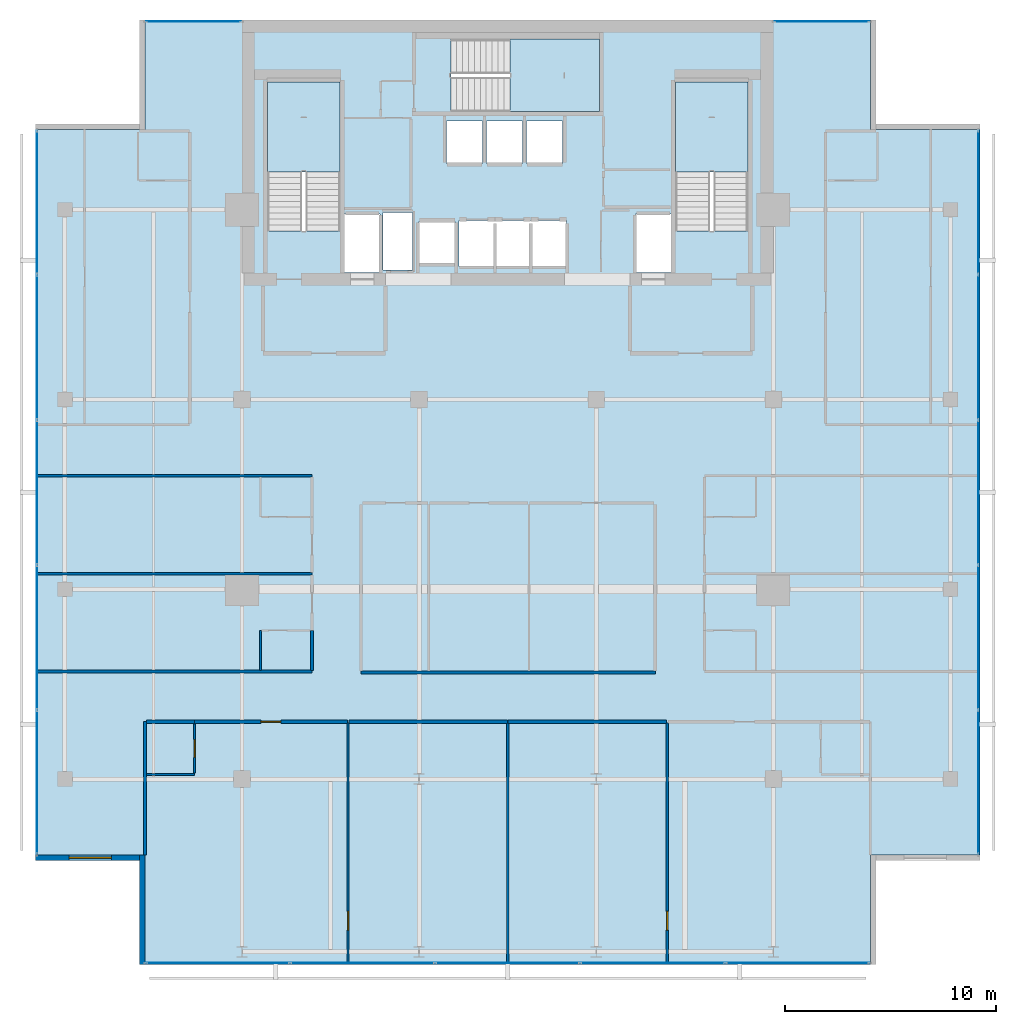
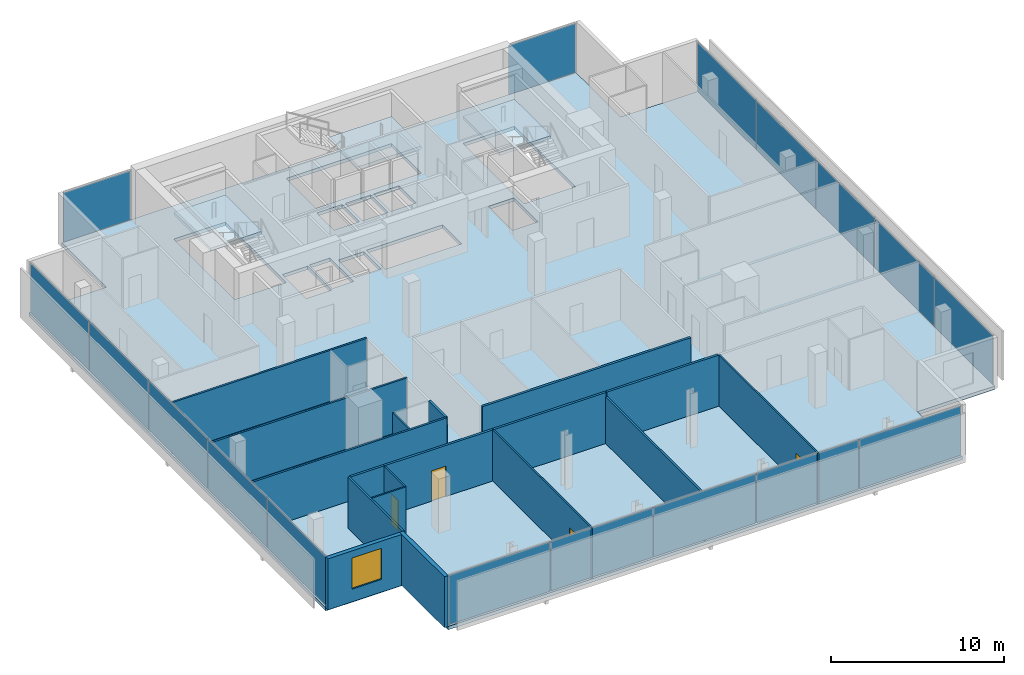
# One storey, part 19 of 25: 18 walls, 17 plates, 4 doors, 4 slabs, 1 window, 5 openings, 8 elements without a shape of their own.
"""IFC4 building model written with IfcOpenShell, lengths in metres."""

from ifc_helpers import new_model, si_unit, direction, frame, frame_2d, origin, origin_2d, place, context, subcontext, project, spatial, polyline, rectangle, outline, extrude, material, layer, layer_set, type_object, element, fill, aggregate, save


model = new_model("IFC4")

# Units and contexts
model_context = context("Model", 3, precision=1e-05, world=origin(), true_north=direction((0.0, 1.0)))
body_context = subcontext(model_context, "Body", "Model", "MODEL_VIEW")
ifc_project = project(units=[si_unit("LENGTHUNIT", "METRE"), si_unit("AREAUNIT", "SQUARE_METRE"), si_unit("VOLUMEUNIT", "CUBIC_METRE"), si_unit("PLANEANGLEUNIT", "RADIAN"), si_unit("MASSUNIT", "GRAM", prefix="KILO")], contexts=[model_context])

# Site, building, storey
site_placement = place(None, origin())
site = spatial("IfcSite", under=ifc_project, at=site_placement, CompositionType="ELEMENT")
building_placement = place(site_placement, origin())
building = spatial("IfcBuilding", under=site, at=building_placement, Name="Maruvema Waterfront Hotel and Observation Tower", CompositionType="ELEMENT")
storey_placement = place(building_placement, frame((0.0, 0.0, 274.050048828125)))
storey = spatial("IfcBuildingStorey", under=building, at=storey_placement, Name="L67", CompositionType="ELEMENT", Elevation=274.050048828125)

# Slab
ifc_material_1 = material(Name="Concrete C50/60", Category="concrete")
ifc_layer_1 = layer(ifc_material_1, 0.239990234375, Name="Reinforced Concrete Floor Slab 240 mm")
ifc_layer_set_1 = layer_set([ifc_layer_1], Name="Concrete C50/60")
slab_type_1 = type_object("IfcSlabType", Name="Reinforced Concrete Floor Slab 240 mm", PredefinedType="FLOOR", material=ifc_layer_set_1)
slab_1_placement = place(storey_placement, frame((0.0, 0.0, -0.239990234375)))
element("IfcSlab", 1, at=slab_1_placement, inside=storey, type_object=slab_type_1, Name="L67 Structural Floor Slab", PredefinedType="FLOOR", context=body_context, shape_type="SweptSolid", body=[
    extrude(outline(polyline([(20.60009765625, 9.199951171875), (55.0, 9.199951171875), (55.0, 14.39990234375), (60.199951171875, 14.39990234375), (60.199951171875, 48.800048828125), (55.0, 48.800048828125), (55.0, 54.0), (20.60009765625, 54.0), (20.60009765625, 48.800048828125), (15.39990234375, 48.800048828125), (15.39990234375, 14.39990234375), (20.60009765625, 14.39990234375), (20.60009765625, 9.199951171875)]), holes=[polyline([(26.39990234375, 44.00048828125), (26.39990234375, 51.050048828125), (29.85009765625, 51.050048828125), (29.85009765625, 44.00048828125), (26.39990234375, 44.00048828125)]), polyline([(30.050048828125, 44.800048828125), (31.75, 44.800048828125), (31.75, 42.02001953125), (30.050048828125, 42.02001953125), (30.050048828125, 44.800048828125)]), polyline([(31.8798828125, 42.139892578125), (31.8798828125, 44.860107421875), (33.280029296875, 44.860107421875), (33.280029296875, 42.139892578125), (31.8798828125, 42.139892578125)]), polyline([(33.60009765625, 44.449951171875), (35.300048828125, 44.449951171875), (35.300048828125, 42.449951171875), (33.60009765625, 42.449951171875), (33.60009765625, 44.449951171875)]), polyline([(34.89990234375, 49.199951171875), (36.60009765625, 49.199951171875), (36.60009765625, 47.199951171875), (34.89990234375, 47.199951171875), (34.89990234375, 49.199951171875)]), polyline([(36.800048828125, 47.199951171875), (36.800048828125, 49.199951171875), (38.5, 49.199951171875), (38.5, 47.199951171875), (36.800048828125, 47.199951171875)]), polyline([(35.5, 42.300048828125), (35.5, 44.5), (40.60009765625, 44.5), (40.60009765625, 42.300048828125), (35.5, 42.300048828125)]), polyline([(35.1005859375, 53.10009765625), (42.14990234375, 53.10009765625), (42.14990234375, 49.64990234375), (35.1005859375, 49.64990234375), (35.1005859375, 53.10009765625)]), polyline([(38.699951171875, 49.199951171875), (40.39990234375, 49.199951171875), (40.39990234375, 47.199951171875), (38.699951171875, 47.199951171875), (38.699951171875, 49.199951171875)]), polyline([(43.85009765625, 44.800048828125), (45.550048828125, 44.800048828125), (45.550048828125, 42.02001953125), (43.85009765625, 42.02001953125), (43.85009765625, 44.800048828125)]), polyline([(45.75, 44.00048828125), (45.75, 51.050048828125), (49.199951171875, 51.050048828125), (49.199951171875, 44.00048828125), (45.75, 44.00048828125)])]), origin(), (0.0, 0.0, 1.0), 0.239990234375),
])

# Curtain wall, plates
ifc_material_2 = material(Name="Anodised bronze aluminium and solar-control low-E IGU", Category="aluminium")
ifc_layer_2 = layer(ifc_material_2, 0.159912109375, Name="Zone 3 Champagne Inner Thermal Curtain Wall System CW-04")
ifc_layer_set_2 = layer_set([ifc_layer_2], Name="Anodised bronze aluminium and solar-control low-E IGU")
curtain_wall_type = type_object("IfcCurtainWallType", Name="Zone 3 Champagne Inner Thermal Curtain Wall System CW-04", PredefinedType="USERDEFINED", material=ifc_layer_set_2)
curtain_wall_1_placement = place(storey_placement, origin())
curtain_wall_1 = element("IfcCurtainWall", 2, at=curtain_wall_1_placement, inside=storey, type_object=curtain_wall_type, Name="L67 Curtain Wall CW-L67-S", ObjectType="UNITISED CURTAIN WALL", PredefinedType="USERDEFINED")
ifc_material_3 = material(Name="Laminated low-E solar-control double glazing", Category="glass")
ifc_layer_3 = layer(ifc_material_3, 0.035888671875, Name="Solar Control Double-Glazed Curtain Panel 36 mm")
ifc_layer_set_3 = layer_set([ifc_layer_3], Name="Laminated low-E solar-control double glazing")
plate_type = type_object("IfcPlateType", Name="Solar Control Double-Glazed Curtain Panel 36 mm", PredefinedType="CURTAIN_PANEL", material=ifc_layer_set_3)
plate_1_placement = place(storey_placement, frame((24.054931640625, 9.280029296875, 0.06005859375), z_axis=(0.0, 0.0, 1.0), x_axis=(1.0, 0.0, 0.0)))
plate_1 = element("IfcPlate", 3, at=plate_1_placement, type_object=plate_type, Name="CW-04 panel 1.1", PredefinedType="CURTAIN_PANEL", context=body_context, shape_type="SweptSolid", body=[
    extrude(rectangle(XDim=6.7900390625, YDim=0.028076171875, at=origin_2d()), origin(), (0.0, 0.0, 1.0), 3.489990234375),
])
plate_2_placement = place(storey_placement, frame((30.919921875, 9.280029296875, 0.06005859375), z_axis=(0.0, 0.0, 1.0), x_axis=(1.0, 0.0, 0.0)))
plate_2 = element("IfcPlate", 4, at=plate_2_placement, type_object=plate_type, Name="CW-04 panel 2.1", PredefinedType="CURTAIN_PANEL", context=body_context, shape_type="SweptSolid", body=[
    extrude(rectangle(XDim=6.820068359375, YDim=0.028076171875, at=origin_2d()), origin(), (0.0, 0.0, 1.0), 3.489990234375),
])
plate_3_placement = place(storey_placement, frame((37.800048828125, 9.280029296875, 0.06005859375), z_axis=(0.0, 0.0, 1.0), x_axis=(1.0, 0.0, 0.0)))
plate_3 = element("IfcPlate", 5, at=plate_3_placement, type_object=plate_type, Name="CW-04 panel 3.1", PredefinedType="CURTAIN_PANEL", context=body_context, shape_type="SweptSolid", body=[
    extrude(rectangle(XDim=6.820068359375, YDim=0.028076171875, at=origin_2d()), origin(), (0.0, 0.0, 1.0), 3.489990234375),
])
plate_4_placement = place(storey_placement, frame((44.679931640625, 9.280029296875, 0.06005859375), z_axis=(0.0, 0.0, 1.0), x_axis=(1.0, 0.0, 0.0)))
plate_4 = element("IfcPlate", 6, at=plate_4_placement, type_object=plate_type, Name="CW-04 panel 4.1", PredefinedType="CURTAIN_PANEL", context=body_context, shape_type="SweptSolid", body=[
    extrude(rectangle(XDim=6.820068359375, YDim=0.028076171875, at=origin_2d()), origin(), (0.0, 0.0, 1.0), 3.489990234375),
])
plate_5_placement = place(storey_placement, frame((51.544921875, 9.280029296875, 0.06005859375), z_axis=(0.0, 0.0, 1.0), x_axis=(1.0, 0.0, 0.0)))
plate_5 = element("IfcPlate", 7, at=plate_5_placement, type_object=plate_type, Name="CW-04 panel 5.1", PredefinedType="CURTAIN_PANEL", context=body_context, shape_type="SweptSolid", body=[
    extrude(rectangle(XDim=6.7900390625, YDim=0.028076171875, at=origin_2d()), origin(), (0.0, 0.0, 1.0), 3.489990234375),
])
aggregate(curtain_wall_1, [plate_1, plate_2, plate_3, plate_4, plate_5])

curtain_wall_2_placement = place(storey_placement, origin())
curtain_wall_2 = element("IfcCurtainWall", 8, at=curtain_wall_2_placement, inside=storey, type_object=curtain_wall_type, Name="L67 Curtain Wall CW-L67-E", ObjectType="UNITISED CURTAIN WALL", PredefinedType="USERDEFINED")
plate_6_placement = place(storey_placement, frame((60.1201171875, 17.85498046875, 0.06005859375), z_axis=(0.0, 0.0, 1.0), x_axis=(0.0, 1.0, 0.0)))
plate_6 = element("IfcPlate", 9, at=plate_6_placement, type_object=plate_type, Name="CW-04 panel 1.1", PredefinedType="CURTAIN_PANEL", context=body_context, shape_type="SweptSolid", body=[
    extrude(rectangle(XDim=6.7900390625, YDim=0.028076171875, at=origin_2d()), origin(), (0.0, 0.0, 1.0), 3.489990234375),
])
plate_7_placement = place(storey_placement, frame((60.1201171875, 24.719970703125, 0.06005859375), z_axis=(0.0, 0.0, 1.0), x_axis=(0.0, 1.0, 0.0)))
plate_7 = element("IfcPlate", 10, at=plate_7_placement, type_object=plate_type, Name="CW-04 panel 2.1", PredefinedType="CURTAIN_PANEL", context=body_context, shape_type="SweptSolid", body=[
    extrude(rectangle(XDim=6.820068359375, YDim=0.028076171875, at=origin_2d()), origin(), (0.0, 0.0, 1.0), 3.489990234375),
])
plate_8_placement = place(storey_placement, frame((60.1201171875, 31.60009765625, 0.06005859375), z_axis=(0.0, 0.0, 1.0), x_axis=(0.0, 1.0, 0.0)))
plate_8 = element("IfcPlate", 11, at=plate_8_placement, type_object=plate_type, Name="CW-04 panel 3.1", PredefinedType="CURTAIN_PANEL", context=body_context, shape_type="SweptSolid", body=[
    extrude(rectangle(XDim=6.820068359375, YDim=0.028076171875, at=origin_2d()), origin(), (0.0, 0.0, 1.0), 3.489990234375),
])
plate_9_placement = place(storey_placement, frame((60.1201171875, 38.47998046875, 0.06005859375), z_axis=(0.0, 0.0, 1.0), x_axis=(0.0, 1.0, 0.0)))
plate_9 = element("IfcPlate", 12, at=plate_9_placement, type_object=plate_type, Name="CW-04 panel 4.1", PredefinedType="CURTAIN_PANEL", context=body_context, shape_type="SweptSolid", body=[
    extrude(rectangle(XDim=6.820068359375, YDim=0.028076171875, at=origin_2d()), origin(), (0.0, 0.0, 1.0), 3.489990234375),
])
plate_10_placement = place(storey_placement, frame((60.1201171875, 45.344970703125, 0.06005859375), z_axis=(0.0, 0.0, 1.0), x_axis=(0.0, 1.0, 0.0)))
plate_10 = element("IfcPlate", 13, at=plate_10_placement, type_object=plate_type, Name="CW-04 panel 5.1", PredefinedType="CURTAIN_PANEL", context=body_context, shape_type="SweptSolid", body=[
    extrude(rectangle(XDim=6.7900390625, YDim=0.028076171875, at=origin_2d()), origin(), (0.0, 0.0, 1.0), 3.489990234375),
])
aggregate(curtain_wall_2, [plate_6, plate_7, plate_8, plate_9, plate_10])

curtain_wall_3_placement = place(storey_placement, origin())
curtain_wall_3 = element("IfcCurtainWall", 14, at=curtain_wall_3_placement, inside=storey, type_object=curtain_wall_type, Name="L67 Curtain Wall CW-L67-W", ObjectType="UNITISED CURTAIN WALL", PredefinedType="USERDEFINED")
plate_11_placement = place(storey_placement, frame((15.47998046875, 45.344970703125, 0.06005859375), z_axis=(0.0, 0.0, 1.0), x_axis=(0.0, -1.0, 0.0)))
plate_11 = element("IfcPlate", 15, at=plate_11_placement, type_object=plate_type, Name="CW-04 panel 1.1", PredefinedType="CURTAIN_PANEL", context=body_context, shape_type="SweptSolid", body=[
    extrude(rectangle(XDim=6.7900390625, YDim=0.028076171875, at=origin_2d()), origin(), (0.0, 0.0, 1.0), 3.489990234375),
])
plate_12_placement = place(storey_placement, frame((15.47998046875, 38.47998046875, 0.06005859375), z_axis=(0.0, 0.0, 1.0), x_axis=(0.0, -1.0, 0.0)))
plate_12 = element("IfcPlate", 16, at=plate_12_placement, type_object=plate_type, Name="CW-04 panel 2.1", PredefinedType="CURTAIN_PANEL", context=body_context, shape_type="SweptSolid", body=[
    extrude(rectangle(XDim=6.820068359375, YDim=0.028076171875, at=origin_2d()), origin(), (0.0, 0.0, 1.0), 3.489990234375),
])
plate_13_placement = place(storey_placement, frame((15.47998046875, 31.60009765625, 0.06005859375), z_axis=(0.0, 0.0, 1.0), x_axis=(0.0, -1.0, 0.0)))
plate_13 = element("IfcPlate", 17, at=plate_13_placement, type_object=plate_type, Name="CW-04 panel 3.1", PredefinedType="CURTAIN_PANEL", context=body_context, shape_type="SweptSolid", body=[
    extrude(rectangle(XDim=6.820068359375, YDim=0.028076171875, at=origin_2d()), origin(), (0.0, 0.0, 1.0), 3.489990234375),
])
plate_14_placement = place(storey_placement, frame((15.47998046875, 24.719970703125, 0.06005859375), z_axis=(0.0, 0.0, 1.0), x_axis=(0.0, -1.0, 0.0)))
plate_14 = element("IfcPlate", 18, at=plate_14_placement, type_object=plate_type, Name="CW-04 panel 4.1", PredefinedType="CURTAIN_PANEL", context=body_context, shape_type="SweptSolid", body=[
    extrude(rectangle(XDim=6.820068359375, YDim=0.028076171875, at=origin_2d()), origin(), (0.0, 0.0, 1.0), 3.489990234375),
])
plate_15_placement = place(storey_placement, frame((15.47998046875, 17.85498046875, 0.06005859375), z_axis=(0.0, 0.0, 1.0), x_axis=(0.0, -1.0, 0.0)))
plate_15 = element("IfcPlate", 19, at=plate_15_placement, type_object=plate_type, Name="CW-04 panel 5.1", PredefinedType="CURTAIN_PANEL", context=body_context, shape_type="SweptSolid", body=[
    extrude(rectangle(XDim=6.7900390625, YDim=0.028076171875, at=origin_2d()), origin(), (0.0, 0.0, 1.0), 3.489990234375),
])
aggregate(curtain_wall_3, [plate_11, plate_12, plate_13, plate_14, plate_15])

# Curtain wall, plate
curtain_wall_4_placement = place(storey_placement, origin())
curtain_wall_4 = element("IfcCurtainWall", 20, at=curtain_wall_4_placement, inside=storey, type_object=curtain_wall_type, Name="L67 Curtain Wall CW-L67-NW", ObjectType="UNITISED CURTAIN WALL", PredefinedType="USERDEFINED")
plate_16_placement = place(storey_placement, frame((22.89990234375, 53.919921875, 0.06005859375), z_axis=(0.0, 0.0, 1.0), x_axis=(-1.0, 0.0, 0.0)))
plate_16 = element("IfcPlate", 21, at=plate_16_placement, type_object=plate_type, Name="CW-04 panel 1.1", PredefinedType="CURTAIN_PANEL", context=body_context, shape_type="SweptSolid", body=[
    extrude(rectangle(XDim=4.47998046875, YDim=0.028076171875, at=origin_2d()), origin(), (0.0, 0.0, 1.0), 3.489990234375),
])
aggregate(curtain_wall_4, [plate_16])

curtain_wall_5_placement = place(storey_placement, origin())
curtain_wall_5 = element("IfcCurtainWall", 22, at=curtain_wall_5_placement, inside=storey, type_object=curtain_wall_type, Name="L67 Curtain Wall CW-L67-NE", ObjectType="UNITISED CURTAIN WALL", PredefinedType="USERDEFINED")
plate_17_placement = place(storey_placement, frame((52.699951171875, 53.919921875, 0.06005859375), z_axis=(0.0, 0.0, 1.0), x_axis=(-1.0, 0.0, 0.0)))
plate_17 = element("IfcPlate", 23, at=plate_17_placement, type_object=plate_type, Name="CW-04 panel 1.1", PredefinedType="CURTAIN_PANEL", context=body_context, shape_type="SweptSolid", body=[
    extrude(rectangle(XDim=4.47998046875, YDim=0.028076171875, at=origin_2d()), origin(), (0.0, 0.0, 1.0), 3.489990234375),
])
aggregate(curtain_wall_5, [plate_17])

# Stair, slab
ifc_material_4 = material(Name="Concrete C50/60", Category="concrete")
stair_type = type_object("IfcStairType", Name="Dogleg Exit Stair 1650 mm (22R x 175.0 mm)", PredefinedType="HALF_TURN_STAIR", material=ifc_material_4)
stair_1_placement = place(storey_placement, origin())
stair_1 = element("IfcStair", 24, at=stair_1_placement, inside=storey, type_object=stair_type, Name="L67 ST-01", PredefinedType="HALF_TURN_STAIR")
ifc_material_5 = material(Name="Concrete C50/60", Category="concrete")
ifc_layer_4 = layer(ifc_material_5, 0.219970703125, Name="Stair Concrete Landing Slab 220 mm")
ifc_layer_set_4 = layer_set([ifc_layer_4], Name="Concrete C50/60")
slab_type_2 = type_object("IfcSlabType", Name="Stair Concrete Landing Slab 220 mm", PredefinedType="LANDING", material=ifc_layer_set_4)
slab_2_placement = place(storey_placement, frame((0.0, 0.0, 1.704833984375)))
slab_2 = element("IfcSlab", 25, at=slab_2_placement, type_object=slab_type_2, Name="ST-01 landing 1", PredefinedType="LANDING", context=body_context, shape_type="SweptSolid", body=[
    extrude(outline(polyline([(29.85009765625, 46.800048828125), (29.85009765625, 51.050048828125), (26.39990234375, 51.050048828125), (26.39990234375, 46.800048828125), (29.85009765625, 46.800048828125)])), origin(), (0.0, 0.0, 1.0), 0.22021484375),
])
aggregate(stair_1, [slab_2])

stair_2_placement = place(storey_placement, origin())
stair_2 = element("IfcStair", 26, at=stair_2_placement, inside=storey, type_object=stair_type, Name="L67 ST-02", PredefinedType="HALF_TURN_STAIR")
slab_3_placement = place(storey_placement, frame((0.0, 0.0, 1.704833984375)))
slab_3 = element("IfcSlab", 27, at=slab_3_placement, type_object=slab_type_2, Name="ST-02 landing 1", PredefinedType="LANDING", context=body_context, shape_type="SweptSolid", body=[
    extrude(outline(polyline([(37.89990234375, 49.64990234375), (42.14990234375, 49.64990234375), (42.14990234375, 53.10009765625), (37.89990234375, 53.10009765625), (37.89990234375, 49.64990234375)])), origin(), (0.0, 0.0, 1.0), 0.22021484375),
])
aggregate(stair_2, [slab_3])

stair_3_placement = place(storey_placement, origin())
stair_3 = element("IfcStair", 28, at=stair_3_placement, inside=storey, type_object=stair_type, Name="L67 ST-03", PredefinedType="HALF_TURN_STAIR")
slab_4_placement = place(storey_placement, frame((0.0, 0.0, 1.704833984375)))
slab_4 = element("IfcSlab", 29, at=slab_4_placement, type_object=slab_type_2, Name="ST-03 landing 1", PredefinedType="LANDING", context=body_context, shape_type="SweptSolid", body=[
    extrude(outline(polyline([(49.199951171875, 46.800048828125), (49.199951171875, 51.050048828125), (45.75, 51.050048828125), (45.75, 46.800048828125), (49.199951171875, 46.800048828125)])), origin(), (0.0, 0.0, 1.0), 0.22021484375),
])
aggregate(stair_3, [slab_4])

# Walls
ifc_material_6 = material(Name="Twin-stud acoustic gypsum drywall", Category="gypsum")
ifc_layer_5 = layer(ifc_material_6, 0.14990234375, Name="Acoustic Corridor and Suite Demising Wall 150 mm")
ifc_layer_set_5 = layer_set([ifc_layer_5], Name="Twin-stud acoustic gypsum drywall")
wall_type_1 = type_object("IfcWallType", Name="Acoustic Corridor and Suite Demising Wall 150 mm", PredefinedType="PARTITIONING", material=ifc_layer_set_5)
wall_1_placement = place(storey_placement, frame((30.85009765625, 23.050048828125, 0.0), z_axis=(0.0, 0.0, 1.0), x_axis=(1.0, 0.0, 0.0)))
element("IfcWall", 30, at=wall_1_placement, inside=storey, type_object=wall_type_1, Name="L67 L67-Z3M Back Wall 021", PredefinedType="PARTITIONING", context=body_context, shape_type="SweptSolid", body=[
    extrude(rectangle(XDim=13.949951171875, YDim=0.14990234375, at=frame_2d((6.97509765625, 0.0))), origin(), (0.0, 0.0, 1.0), 3.60986328125),
])
wall_2_placement = place(storey_placement, frame((20.679931640625, 20.719970703125, 0.0), z_axis=(0.0, 0.0, 1.0), x_axis=(1.0, 0.0, 0.0)))
element("IfcWall", 31, at=wall_2_placement, inside=storey, type_object=wall_type_1, Name="L67 Bath L67-S1 Back Wall 031", PredefinedType="PARTITIONING", context=body_context, shape_type="SweptSolid", body=[
    extrude(rectangle(XDim=2.27001953125, YDim=0.14990234375, at=frame_2d((1.135009765625, 0.0))), origin(), (0.0, 0.0, 1.0), 3.60986328125),
])

# Wall, opening, door
wall_3_placement = place(storey_placement, frame((22.949951171875, 20.719970703125, 0.0), z_axis=(0.0, 0.0, 1.0), x_axis=(1.0, 0.0, 0.0)))
wall_3 = element("IfcWall", 32, at=wall_3_placement, inside=storey, type_object=wall_type_1, Name="L67 Unit L67-S1 Corridor Wall 034", PredefinedType="PARTITIONING", context=body_context, shape_type="SweptSolid", body=[
    extrude(rectangle(XDim=7.241943359375, YDim=0.14990234375, at=frame_2d((3.62109375, 0.0))), origin(), (0.0, 0.0, 1.0), 3.60986328125),
])
opening_1_placement = place(wall_3_placement, frame((3.14599609375, 0.0, 0.0)))
opening_1 = element("IfcOpeningElement", 33, at=opening_1_placement, cuts=wall_3, Name="Opening DR-095", PredefinedType="OPENING", context=body_context, shape_type="SweptSolid", body=[
    extrude(rectangle(XDim=0.949951171875, YDim=2.14990234375, at=frame_2d((0.47509765625, 1.074951171875))), frame((0.0, 0.0849609375, 0.0), z_axis=(0.0, -1.0, 0.0), x_axis=(1.0, 0.0, 0.0)), (0.0, 0.0, 1.0), 0.169921875),
])
ifc_material_7 = material(Name="Acoustic solid-core hardwood timber leaf", Category="wood")
door_type_1 = type_object("IfcDoorType", Name="Guestroom Entrance Fire Door 950x2150 mm", OperationType="NOTDEFINED", PredefinedType="DOOR", material=ifc_material_7)
door_1_placement = place(opening_1_placement, frame((0.949951171875, 0.0, 0.0), z_axis=(0.0, 0.0, 1.0), x_axis=(-1.0, 0.0, 0.0)))
door_1 = element("IfcDoor", 34, at=door_1_placement, inside=storey, type_object=door_type_1, Name="L67 Unit L67-S1 Entrance Door", OperationType="SINGLE_SWING_RIGHT", OverallHeight=2.14990234375, OverallWidth=0.949951171875, PredefinedType="DOOR", context=body_context, shape_type="SweptSolid", body=[
    extrude(rectangle(XDim=0.949951171875, YDim=2.14990234375, at=frame_2d((0.47509765625, 1.074951171875))), frame((0.0, 0.02490234375, 0.0), z_axis=(0.0, -1.0, 0.0), x_axis=(1.0, 0.0, 0.0)), (0.0, 0.0, 1.0), 0.050048828125),
])
fill(opening_1, door_1)

# Walls
wall_4_placement = place(storey_placement, frame((30.27197265625, 20.719970703125, 0.0), z_axis=(0.0, 0.0, 1.0), x_axis=(1.0, 0.0, 0.0)))
element("IfcWall", 35, at=wall_4_placement, inside=storey, type_object=wall_type_1, Name="L67 Bedroom L67-S1 Back Wall 035", PredefinedType="PARTITIONING", context=body_context, shape_type="SweptSolid", body=[
    extrude(rectangle(XDim=7.508056640625, YDim=0.14990234375, at=frame_2d((3.75390625, 0.0))), origin(), (0.0, 0.0, 1.0), 3.60986328125),
])
wall_5_placement = place(storey_placement, frame((37.820068359375, 20.719970703125, 0.0), z_axis=(0.0, 0.0, 1.0), x_axis=(1.0, 0.0, 0.0)))
element("IfcWall", 36, at=wall_5_placement, inside=storey, type_object=wall_type_1, Name="L67 Bedroom L67-S2 Back Wall 041", PredefinedType="PARTITIONING", context=body_context, shape_type="SweptSolid", body=[
    extrude(rectangle(XDim=7.5078125, YDim=0.14990234375, at=frame_2d((3.75390625, 0.0))), origin(), (0.0, 0.0, 1.0), 3.60986328125),
])
wall_6_placement = place(storey_placement, frame((28.52001953125, 23.159912109375, 0.0), z_axis=(0.0, 0.0, 1.0), x_axis=(0.0, 1.0, 0.0)))
element("IfcWall", 37, at=wall_6_placement, inside=storey, type_object=wall_type_1, Name="L67 Bath L67-W1 Wall 048", PredefinedType="PARTITIONING", context=body_context, shape_type="SweptSolid", body=[
    extrude(rectangle(XDim=1.89013671875, YDim=0.14990234375, at=frame_2d((0.945068359375, 0.0))), origin(), (0.0, 0.0, 1.0), 3.60986328125),
])
ifc_material_8 = material(Name="Moisture-resistant cement-board drywall", Category="gypsum")
ifc_layer_6 = layer(ifc_material_8, 0.10009765625, Name="En-Suite Moisture-Resistant Partition 100 mm")
ifc_layer_set_6 = layer_set([ifc_layer_6], Name="Moisture-resistant cement-board drywall")
wall_type_2 = type_object("IfcWallType", Name="En-Suite Moisture-Resistant Partition 100 mm", PredefinedType="PARTITIONING", material=ifc_layer_set_6)
wall_7_placement = place(storey_placement, frame((20.679931640625, 18.219970703125, 0.0), z_axis=(0.0, 0.0, 1.0), x_axis=(1.0, 0.0, 0.0)))
element("IfcWall", 38, at=wall_7_placement, inside=storey, type_object=wall_type_2, Name="L67 En-Suite L67-S1 South 032", PredefinedType="PARTITIONING", context=body_context, shape_type="SweptSolid", body=[
    extrude(rectangle(XDim=2.27001953125, YDim=0.10009765625, at=frame_2d((1.135009765625, 0.0))), origin(), (0.0, 0.0, 1.0), 3.60986328125),
])

# Wall, opening, door
wall_8_placement = place(storey_placement, frame((22.949951171875, 18.280029296875, 0.0), z_axis=(0.0, 0.0, 1.0), x_axis=(0.0, 1.0, 0.0)))
wall_8 = element("IfcWall", 39, at=wall_8_placement, inside=storey, type_object=wall_type_2, Name="L67 En-Suite L67-S1 East 033", PredefinedType="PARTITIONING", context=body_context, shape_type="SweptSolid", body=[
    extrude(rectangle(XDim=2.340087890625, YDim=0.10009765625, at=frame_2d((1.169921875, 0.0))), origin(), (0.0, 0.0, 1.0), 3.60986328125),
])
opening_2_placement = place(wall_8_placement, frame((0.7451171875, 0.0, 0.0)))
opening_2 = element("IfcOpeningElement", 40, at=opening_2_placement, cuts=wall_8, Name="Opening DR-085", PredefinedType="OPENING", context=body_context, shape_type="SweptSolid", body=[
    extrude(rectangle(XDim=0.85009765625, YDim=2.10009765625, at=frame_2d((0.425048828125, 1.050048828125))), frame((0.0, 0.06005859375, 0.0), z_axis=(0.0, -1.0, 0.0), x_axis=(1.0, 0.0, 0.0)), (0.0, 0.0, 1.0), 0.1201171875),
])
ifc_material_9 = material(Name="Moisture-resistant solid timber leaf", Category="wood")
door_type_2 = type_object("IfcDoorType", Name="En-Suite Bathroom Door 850x2100 mm", OperationType="NOTDEFINED", PredefinedType="DOOR", material=ifc_material_9)
door_2_placement = place(opening_2_placement, frame((0.85009765625, 0.0, 0.0), z_axis=(0.0, 0.0, 1.0), x_axis=(-1.0, 0.0, 0.0)))
door_2 = element("IfcDoor", 41, at=door_2_placement, inside=storey, type_object=door_type_2, Name="L67 En-Suite L67-S1 Door", OperationType="SINGLE_SWING_LEFT", OverallHeight=2.10009765625, OverallWidth=0.85009765625, PredefinedType="DOOR", context=body_context, shape_type="SweptSolid", body=[
    extrude(rectangle(XDim=0.85009765625, YDim=2.10009765625, at=frame_2d((0.425048828125, 1.050048828125))), frame((0.0, 0.02490234375, 0.0), z_axis=(0.0, -1.0, 0.0), x_axis=(1.0, 0.0, 0.0)), (0.0, 0.0, 1.0), 0.050048828125),
])
fill(opening_2, door_2)

wall_9_placement = place(storey_placement, frame((30.23193359375, 9.22998046875, 0.0), z_axis=(0.0, 0.0, 1.0), x_axis=(0.0, 1.0, 0.0)))
wall_9 = element("IfcWall", 42, at=wall_9_placement, inside=storey, type_object=wall_type_2, Name="L67 Suite L67-S1 Split 036", PredefinedType="PARTITIONING", context=body_context, shape_type="SweptSolid", body=[
    extrude(rectangle(XDim=11.429931640625, YDim=0.10009765625, at=frame_2d((5.71484375, 0.0))), origin(), (0.0, 0.0, 1.0), 3.60986328125),
])
opening_3_placement = place(wall_9_placement, frame((1.60009765625, 0.0, 0.0)))
opening_3 = element("IfcOpeningElement", 43, at=opening_3_placement, cuts=wall_9, Name="Opening DR-090", PredefinedType="OPENING", context=body_context, shape_type="SweptSolid", body=[
    extrude(rectangle(XDim=0.89990234375, YDim=2.10009765625, at=frame_2d((0.449951171875, 1.050048828125))), frame((0.0, 0.06005859375, 0.0), z_axis=(0.0, -1.0, 0.0), x_axis=(1.0, 0.0, 0.0)), (0.0, 0.0, 1.0), 0.1201171875),
])
ifc_material_10 = material(Name="Solid-core lacquered timber leaf", Category="wood")
door_type_3 = type_object("IfcDoorType", Name="Accessible Toilet and Room Door 900x2100 mm", OperationType="NOTDEFINED", PredefinedType="DOOR", material=ifc_material_10)
door_3_placement = place(opening_3_placement, origin())
door_3 = element("IfcDoor", 44, at=door_3_placement, inside=storey, type_object=door_type_3, Name="L67 Suite L67-S1 Bedroom Door", OperationType="SINGLE_SWING_LEFT", OverallHeight=2.10009765625, OverallWidth=0.89990234375, PredefinedType="DOOR", context=body_context, shape_type="SweptSolid", body=[
    extrude(rectangle(XDim=0.89990234375, YDim=2.10009765625, at=frame_2d((0.449951171875, 1.050048828125))), frame((0.0, 0.02490234375, 0.0), z_axis=(0.0, -1.0, 0.0), x_axis=(1.0, 0.0, 0.0)), (0.0, 0.0, 1.0), 0.050048828125),
])
fill(opening_3, door_3)

wall_10_placement = place(storey_placement, frame((45.367919921875, 9.22998046875, 0.0), z_axis=(0.0, 0.0, 1.0), x_axis=(0.0, 1.0, 0.0)))
wall_10 = element("IfcWall", 45, at=wall_10_placement, inside=storey, type_object=wall_type_2, Name="L67 Suite L67-S2 Split 043", PredefinedType="PARTITIONING", context=body_context, shape_type="SweptSolid", body=[
    extrude(rectangle(XDim=11.429931640625, YDim=0.10009765625, at=frame_2d((5.71484375, 0.0))), origin(), (0.0, 0.0, 1.0), 3.60986328125),
])
opening_4_placement = place(wall_10_placement, frame((1.60009765625, 0.0, 0.0)))
opening_4 = element("IfcOpeningElement", 46, at=opening_4_placement, cuts=wall_10, Name="Opening DR-090", PredefinedType="OPENING", context=body_context, shape_type="SweptSolid", body=[
    extrude(rectangle(XDim=0.89990234375, YDim=2.10009765625, at=frame_2d((0.449951171875, 1.050048828125))), frame((0.0, 0.06005859375, 0.0), z_axis=(0.0, -1.0, 0.0), x_axis=(1.0, 0.0, 0.0)), (0.0, 0.0, 1.0), 0.1201171875),
])
door_4_placement = place(opening_4_placement, frame((0.89990234375, 0.0, 0.0), z_axis=(0.0, 0.0, 1.0), x_axis=(-1.0, 0.0, 0.0)))
door_4 = element("IfcDoor", 47, at=door_4_placement, inside=storey, type_object=door_type_3, Name="L67 Suite L67-S2 Bedroom Door", OperationType="SINGLE_SWING_RIGHT", OverallHeight=2.10009765625, OverallWidth=0.89990234375, PredefinedType="DOOR", context=body_context, shape_type="SweptSolid", body=[
    extrude(rectangle(XDim=0.89990234375, YDim=2.10009765625, at=frame_2d((0.449951171875, 1.050048828125))), frame((0.0, 0.02490234375, 0.0), z_axis=(0.0, -1.0, 0.0), x_axis=(1.0, 0.0, 0.0)), (0.0, 0.0, 1.0), 0.050048828125),
])
fill(opening_4, door_4)

# Walls
wall_11_placement = place(storey_placement, frame((26.070068359375, 23.159912109375, 0.0), z_axis=(0.0, 0.0, 1.0), x_axis=(0.0, 1.0, 0.0)))
element("IfcWall", 48, at=wall_11_placement, inside=storey, type_object=wall_type_2, Name="L67 En-Suite L67-W1 W 050", PredefinedType="PARTITIONING", context=body_context, shape_type="SweptSolid", body=[
    extrude(rectangle(XDim=1.89013671875, YDim=0.10009765625, at=frame_2d((0.945068359375, 0.0))), origin(), (0.0, 0.0, 1.0), 3.60986328125),
])
ifc_material_11 = material(Name="Precast concrete C45/55 with honed Pernambuco granite facing", Category="masonry")
ifc_layer_7 = layer(ifc_material_11, 0.260009765625, Name="Exterior Granite Clad Spandrel and Pier Wall 260 mm")
ifc_layer_set_7 = layer_set([ifc_layer_7], Name="Precast concrete C45/55 with honed Pernambuco granite facing")
wall_type_3 = type_object("IfcWallType", Name="Exterior Granite Clad Spandrel and Pier Wall 260 mm", PredefinedType="SOLIDWALL", material=ifc_layer_set_7)
wall_12_placement = place(storey_placement, frame((20.469970703125, 9.199951171875, 0.0), z_axis=(0.0, 0.0, 1.0), x_axis=(0.0, 1.0, 0.0)))
element("IfcWall", 49, at=wall_12_placement, inside=storey, type_object=wall_type_3, Name="L67 Corner Notch Granite Pier Wall SW1", PredefinedType="SOLIDWALL", context=body_context, shape_type="SweptSolid", body=[
    extrude(rectangle(XDim=5.199951171875, YDim=0.260009765625, at=frame_2d((2.60009765625, 0.0))), origin(), (0.0, 0.0, 1.0), 3.60986328125),
])

# Wall, opening, window
wall_13_placement = place(storey_placement, frame((20.60009765625, 14.27001953125, 0.0), z_axis=(0.0, 0.0, 1.0), x_axis=(-1.0, 0.0, 0.0)))
wall_13 = element("IfcWall", 50, at=wall_13_placement, inside=storey, type_object=wall_type_3, Name="L67 Corner Notch Granite Pier Wall SW2", PredefinedType="SOLIDWALL", context=body_context, shape_type="SweptSolid", body=[
    extrude(rectangle(XDim=5.2001953125, YDim=0.260009765625, at=frame_2d((2.60009765625, 0.0))), origin(), (0.0, 0.0, 1.0), 3.60986328125),
])
opening_5_placement = place(wall_13_placement, frame((1.60009765625, 0.0, 0.89990234375)))
opening_5 = element("IfcOpeningElement", 51, at=opening_5_placement, cuts=wall_13, Name="Opening WN-03", PredefinedType="OPENING", context=body_context, shape_type="SweptSolid", body=[
    extrude(rectangle(XDim=2.0, YDim=2.199951171875, at=frame_2d((1.0, 1.10009765625))), frame((0.0, 0.14013671875, 0.0), z_axis=(0.0, -1.0, 0.0), x_axis=(1.0, 0.0, 0.0)), (0.0, 0.0, 1.0), 0.280029296875),
])
ifc_material_12 = material(Name="Anodised bronze aluminium frame with laminated low-E glass", Category="aluminium")
window_type = type_object("IfcWindowType", Name="Sky Suite Panoramic Notch Window 2000x2200 mm", PartitioningType="SINGLE_PANEL", PredefinedType="WINDOW", material=ifc_material_12)
window_placement = place(opening_5_placement, origin())
window = element("IfcWindow", 52, at=window_placement, inside=storey, type_object=window_type, Name="L67 Corner Notch Punched Window SW2", OverallHeight=2.199951171875, OverallWidth=2.0, PartitioningType="SINGLE_PANEL", PredefinedType="WINDOW", context=body_context, shape_type="SweptSolid", body=[
    extrude(rectangle(XDim=2.0, YDim=2.199951171875, at=frame_2d((1.0, 1.10009765625))), frame((0.0, 0.030029296875, 0.0), z_axis=(0.0, -1.0, 0.0), x_axis=(1.0, 0.0, 0.0)), (0.0, 0.0, 1.0), 0.06005859375),
])
fill(opening_5, window)

# Walls
ifc_material_13 = material(Name="Acoustic gypsum plasterboard drywall", Category="gypsum")
ifc_layer_8 = layer(ifc_material_13, 0.125, Name="Guestroom Acoustic Demising Wall 125 mm")
ifc_layer_set_8 = layer_set([ifc_layer_8], Name="Acoustic gypsum plasterboard drywall")
wall_type_4 = type_object("IfcWallType", Name="Guestroom Acoustic Demising Wall 125 mm", PredefinedType="PARTITIONING", material=ifc_layer_set_8)
wall_14_placement = place(storey_placement, frame((20.60009765625, 14.39990234375, 0.0), z_axis=(0.0, 0.0, 1.0), x_axis=(0.0, 1.0, 0.0)))
element("IfcWall", 53, at=wall_14_placement, inside=storey, type_object=wall_type_4, Name="L67 Z3 S West End 029", PredefinedType="PARTITIONING", context=body_context, shape_type="SweptSolid", body=[
    extrude(rectangle(XDim=6.320068359375, YDim=0.125, at=frame_2d((3.16015625, 0.0))), origin(), (0.0, 0.0, 1.0), 3.60986328125),
])
wall_15_placement = place(storey_placement, frame((37.800048828125, 9.300048828125, 0.0), z_axis=(0.0, 0.0, 1.0), x_axis=(0.0, 1.0, 0.0)))
element("IfcWall", 54, at=wall_15_placement, inside=storey, type_object=wall_type_4, Name="L67 Z3 S Demising 2 037", PredefinedType="PARTITIONING", context=body_context, shape_type="SweptSolid", body=[
    extrude(rectangle(XDim=11.419921875, YDim=0.125, at=frame_2d((5.7099609375, 0.0))), origin(), (0.0, 0.0, 1.0), 3.303955078125),
])
for number, where, z_axis, x_axis, name in (
    (55, (15.5, 23.10009765625, 0.0), (0.0, 0.0, 1.0), (1.0, 0.0, 0.0), "L67 Z3 W Bot End 044"),
    (56, (15.5, 32.3798828125, 0.0), (0.0, 0.0, 1.0), (1.0, 0.0, 0.0), "L67 Z3 W Top End 046"),
    (57, (15.5, 27.739990234375, 0.0), (0.0, 0.0, 1.0), (1.0, 0.0, 0.0), "L67 Z3 W Demising 2 056"),
):
    element("IfcWall", number, at=place(storey_placement, frame(where, z_axis=z_axis, x_axis=x_axis)), inside=storey, type_object=wall_type_4, Name=name, PredefinedType="PARTITIONING", context=body_context, shape_type="SweptSolid", body=[
        extrude(rectangle(XDim=13.02001953125, YDim=0.125, at=frame_2d((6.510009765625, 0.0))), origin(), (0.0, 0.0, 1.0), 3.60986328125),
    ])

save(model, "model.ifc")
